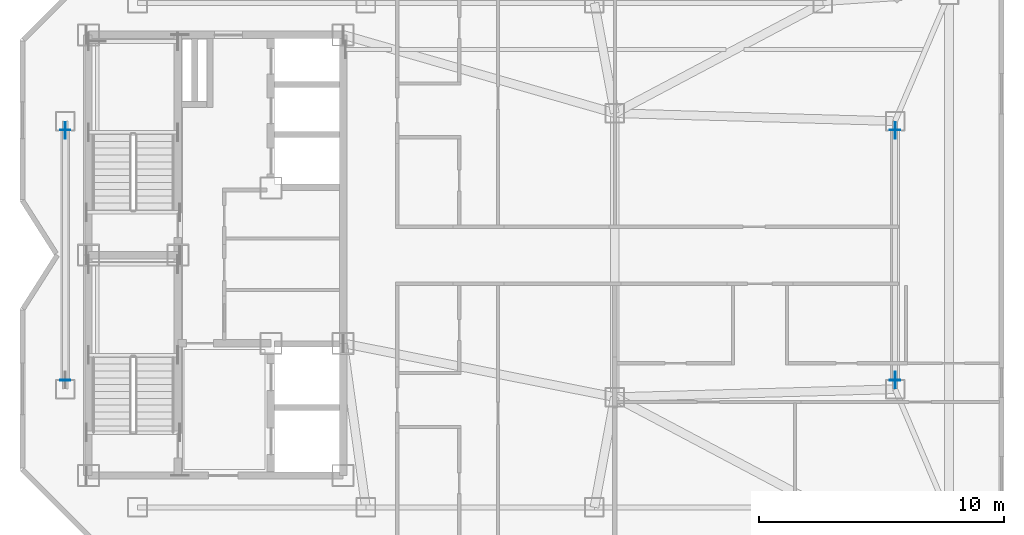
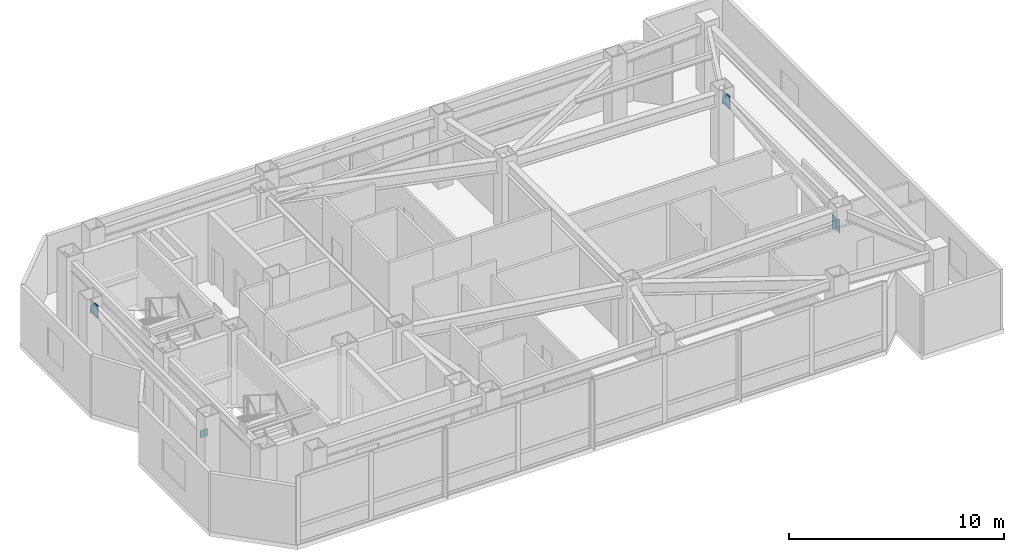
# One storey, part 8 of 12: 7 plates.
"""IFC4 building model written with IfcOpenShell, lengths in metres."""

from ifc_helpers import new_model, si_unit, direction, frame, origin, origin_2d, place, context, subcontext, project, spatial, rectangle, extrude, material, layer, layer_set, type_object, element, save


model = new_model("IFC4")

# Units and contexts
model_context = context("Model", 3, precision=1e-05, world=origin(), true_north=direction((0.0, 1.0)))
body_context = subcontext(model_context, "Body", "Model", "MODEL_VIEW")
ifc_project = project(units=[si_unit("LENGTHUNIT", "METRE"), si_unit("AREAUNIT", "SQUARE_METRE"), si_unit("VOLUMEUNIT", "CUBIC_METRE"), si_unit("PLANEANGLEUNIT", "RADIAN"), si_unit("MASSUNIT", "GRAM", prefix="KILO")], contexts=[model_context])

# Site, building, storey
site_placement = place(None, origin())
site = spatial("IfcSite", under=ifc_project, at=site_placement, CompositionType="ELEMENT")
building_placement = place(site_placement, origin())
building = spatial("IfcBuilding", under=site, at=building_placement, Name="Khamvora Tower", CompositionType="ELEMENT")
storey_placement = place(building_placement, frame((0.0, 0.0, 298.85009765625)))
storey = spatial("IfcBuildingStorey", under=building, at=storey_placement, Name="L76", CompositionType="ELEMENT", Elevation=298.85009765625)

# Plates
ifc_material_1 = material(Name="Steel S355", Category="steel")
ifc_layer_1 = layer(ifc_material_1, 0.02490234375)
ifc_layer_set_1 = layer_set([ifc_layer_1], Name="Steel S355")
plate_type_1 = type_object("IfcPlateType", Name="PL-CAP-25", PredefinedType="SHEET", material=ifc_layer_set_1)
for number, where, z_axis, x_axis, name in (
    (1, (28.050048828125, 22.89208984375, 2.5029296875), (0.0, 0.0, 1.0), (0.0, 1.0, 0.0), "L76 hollow section steel end cap plate 1313"),
    (2, (28.050048828125, 33.10791015625, 3.375), (0.0, 0.0, 1.0), (0.0, 1.0, 0.0), "L76 hollow section steel end cap plate 1314"),
    (3, (61.949951171875, 22.89208984375, 2.5029296875), (0.0, 0.0, 1.0), (0.0, 1.0, 0.0), "L76 hollow section steel end cap plate 1315"),
    (4, (61.949951171875, 33.10791015625, 3.375), (0.0, 0.0, 1.0), (0.0, 1.0, 0.0), "L76 hollow section steel end cap plate 1316"),
):
    element("IfcPlate", number, at=place(storey_placement, frame(where, z_axis=z_axis, x_axis=x_axis)), inside=storey, type_object=plate_type_1, Name=name, PredefinedType="SHEET", context=body_context, shape_type="SweptSolid", body=[
        extrude(rectangle(XDim=0.02490234375, YDim=0.416015625, at=origin_2d()), origin(), (0.0, 0.0, 1.0), 0.416015625),
    ])
ifc_material_2 = material(Name="Steel S460", Category="steel")
ifc_layer_2 = layer(ifc_material_2, 0.0400390625)
ifc_layer_set_2 = layer_set([ifc_layer_2], Name="Steel S460")
plate_type_2 = type_object("IfcPlateType", Name="PLT-GUS-40", PredefinedType="SHEET", material=ifc_layer_set_2)
for number, where, z_axis, x_axis, name in (
    (5, (28.050048828125, 33.095947265625, 3.24169921875), (0.0, 0.0, 1.0), (0.0, 1.0, 0.0), "L76 brace connection node gusset plate 0462"),
    (6, (61.949951171875, 22.904052734375, 2.3720703125), (0.0, 0.0, 1.0), (0.0, 1.0, 0.0), "L76 brace connection node gusset plate 0463"),
    (7, (61.949951171875, 33.095947265625, 3.24169921875), (0.0, 0.0, 1.0), (0.0, 1.0, 0.0), "L76 brace connection node gusset plate 0464"),
):
    element("IfcPlate", number, at=place(storey_placement, frame(where, z_axis=z_axis, x_axis=x_axis)), inside=storey, type_object=plate_type_2, Name=name, PredefinedType="SHEET", context=body_context, shape_type="SweptSolid", body=[
        extrude(rectangle(XDim=0.679931640625, YDim=0.0400390625, at=origin_2d()), origin(), (0.0, 0.0, 1.0), 0.679931640625),
    ])

save(model, "model.ifc")
